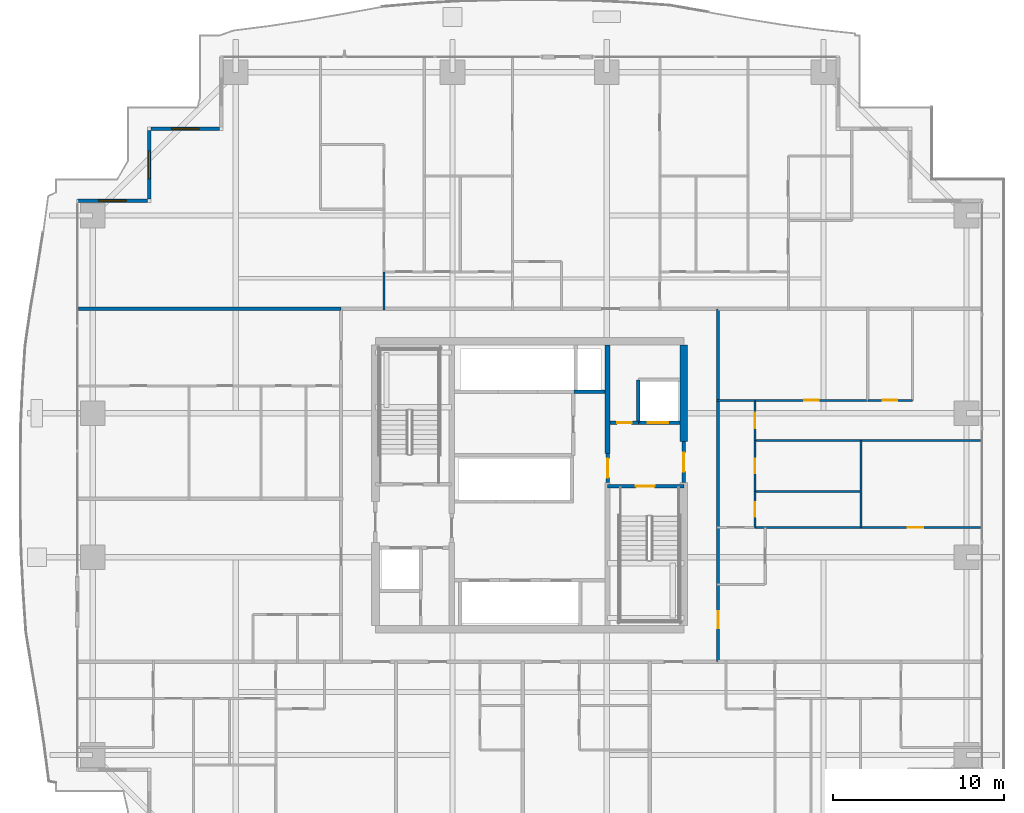
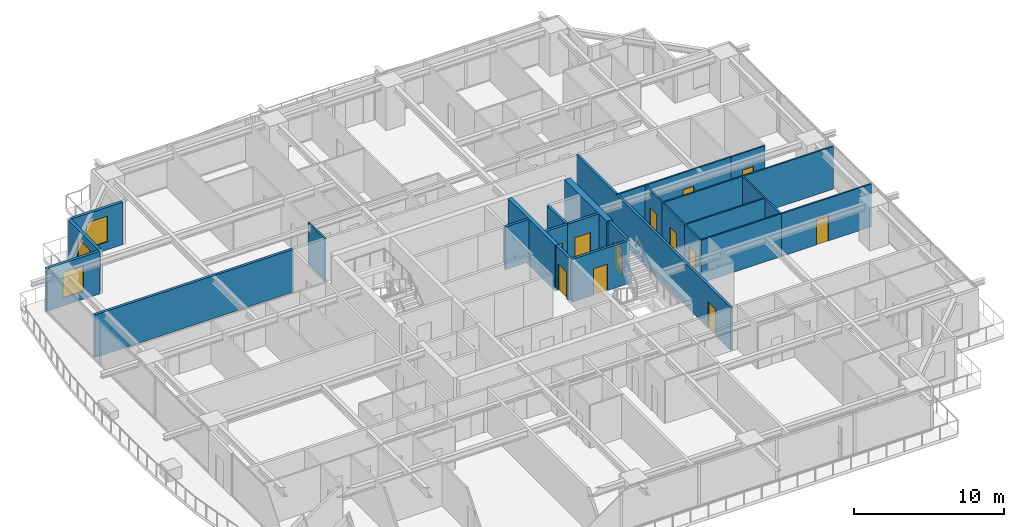
# One storey, part 26 of 36: 26 walls, 12 doors, 3 windows, 15 openings.
"""IFC4 building model written with IfcOpenShell, lengths in metres."""

from ifc_helpers import new_model, si_unit, direction, frame, frame_2d, origin, place, context, subcontext, project, spatial, rectangle, extrude, source, transform, mapped, material, layer, layer_set, type_object, element, fill, save


model = new_model("IFC4")

# Units and contexts
model_context = context("Model", 3, precision=1e-05, world=origin(), true_north=direction((0.0, 1.0)))
body_context = subcontext(model_context, "Body", "Model", "MODEL_VIEW")
ifc_project = project(units=[si_unit("LENGTHUNIT", "METRE"), si_unit("AREAUNIT", "SQUARE_METRE"), si_unit("VOLUMEUNIT", "CUBIC_METRE"), si_unit("PLANEANGLEUNIT", "RADIAN"), si_unit("MASSUNIT", "GRAM", prefix="KILO")], contexts=[model_context])

# Site, building, storey
site_placement = place(None, origin())
site = spatial("IfcSite", under=ifc_project, at=site_placement, CompositionType="ELEMENT")
building_placement = place(site_placement, origin())
building = spatial("IfcBuilding", under=site, at=building_placement, Name="Serunith Strait Residences", CompositionType="ELEMENT")
storey_placement = place(building_placement, frame((0.0, 0.0, 86.699951171875)))
storey = spatial("IfcBuildingStorey", under=building, at=storey_placement, Name="L21", CompositionType="ELEMENT", Elevation=86.699951171875)

# Wall, opening, window
ifc_material_1 = material(Name="Pale-Champagne Aluminium Insulated Panel", Category="aluminium")
ifc_layer_1 = layer(ifc_material_1, 0.219970703125, Name="Pale-Champagne Aluminium Insulated Panel")
ifc_layer_set_1 = layer_set([ifc_layer_1], Name="Pale-Champagne Aluminium Insulated Panel")
wall_type_1 = type_object("IfcWallType", Name="EW-ALUM-220", PredefinedType="ELEMENTEDWALL", material=ifc_layer_set_1)
wall_1_placement = place(storey_placement, frame((14.2900390625, 46.0, 0.0), z_axis=(0.0, 0.0, 1.0), x_axis=(-1.0, 0.0, 0.0)))
wall_1 = element("IfcWall", 1, at=wall_1_placement, inside=storey, type_object=wall_type_1, Name="L21 Girih Serrated Corner Wall 13", PredefinedType="ELEMENTEDWALL", context=body_context, shape_type="SweptSolid", body=[
    extrude(rectangle(XDim=3.97998046875, YDim=0.219970703125, at=frame_2d((1.989990234375, 0.0))), origin(), (0.0, 0.0, 1.0), 3.47509765625),
])
opening_1_placement = place(wall_1_placement, frame((1.18994140625, 0.0, 0.64990234375)))
opening_1 = element("IfcOpeningElement", 2, at=opening_1_placement, cuts=wall_1, Name="Opening W-02", PredefinedType="OPENING", context=body_context, shape_type="SweptSolid", body=[
    extrude(rectangle(XDim=1.60009765625, YDim=2.10009765625, at=frame_2d((0.800048828125, 1.050048828125))), frame((0.0, 0.1201171875, 0.0), z_axis=(0.0, -1.0, 0.0), x_axis=(1.0, 0.0, 0.0)), (0.0, 0.0, 1.0), 0.239990234375),
])
ifc_material_2 = material(Name="Ceramic-Fritted Operable Aluminium Window Glass", Category="aluminium")
window_type = type_object("IfcWindowType", Name="WIN-C2", PartitioningType="DOUBLE_PANEL_VERTICAL", PredefinedType="WINDOW", material=ifc_material_2)
shared_shape_1 = source(origin(), body_context, "Body", "SweptSolid", [
    extrude(rectangle(XDim=1.60009765625, YDim=2.10009765625, at=frame_2d((0.800048828125, 1.050048828125))), frame((0.0, 0.030029296875, 0.0), z_axis=(0.0, -1.0, 0.0), x_axis=(1.0, 0.0, 0.0)), (0.0, 0.0, 1.0), 0.06005859375),
])
window_1_placement = place(opening_1_placement, origin())
window_1 = element("IfcWindow", 3, at=window_1_placement, inside=storey, type_object=window_type, Name="L21 Corner Operable Fritted Window 13", OverallHeight=2.10009765625, OverallWidth=1.60009765625, PartitioningType="SINGLE_PANEL", PredefinedType="WINDOW", context=body_context, shape_type="MappedRepresentation", body=[
    mapped(shared_shape_1, transform((0.0, 0.0, 0.0), scale=1.0)),
])
fill(opening_1, window_1)

wall_2_placement = place(storey_placement, frame((10.199951171875, 45.889892578125, 0.0), z_axis=(0.0, 0.0, 1.0), x_axis=(0.0, -1.0, 0.0)))
wall_2 = element("IfcWall", 4, at=wall_2_placement, inside=storey, type_object=wall_type_1, Name="L21 Girih Serrated Corner Wall 14", PredefinedType="ELEMENTEDWALL", context=body_context, shape_type="SweptSolid", body=[
    extrude(rectangle(XDim=3.97998046875, YDim=0.219970703125, at=frame_2d((1.989990234375, 0.0))), origin(), (0.0, 0.0, 1.0), 3.47509765625),
])
opening_2_placement = place(wall_2_placement, frame((1.18994140625, 0.0, 0.64990234375)))
opening_2 = element("IfcOpeningElement", 5, at=opening_2_placement, cuts=wall_2, Name="Opening W-02", PredefinedType="OPENING", context=body_context, shape_type="SweptSolid", body=[
    extrude(rectangle(XDim=1.60009765625, YDim=2.10009765625, at=frame_2d((0.800048828125, 1.050048828125))), frame((0.0, 0.1201171875, 0.0), z_axis=(0.0, -1.0, 0.0), x_axis=(1.0, 0.0, 0.0)), (0.0, 0.0, 1.0), 0.239990234375),
])
window_2_placement = place(opening_2_placement, origin())
window_2 = element("IfcWindow", 6, at=window_2_placement, inside=storey, type_object=window_type, Name="L21 Corner Operable Fritted Window 14", OverallHeight=2.10009765625, OverallWidth=1.60009765625, PartitioningType="SINGLE_PANEL", PredefinedType="WINDOW", context=body_context, shape_type="MappedRepresentation", body=[
    mapped(shared_shape_1, transform((0.0, 0.0, 0.0), scale=1.0)),
])
fill(opening_2, window_2)

wall_3_placement = place(storey_placement, frame((10.090087890625, 41.800048828125, 0.0), z_axis=(0.0, 0.0, 1.0), x_axis=(-1.0, 0.0, 0.0)))
wall_3 = element("IfcWall", 7, at=wall_3_placement, inside=storey, type_object=wall_type_1, Name="L21 Girih Serrated Corner Wall 15", PredefinedType="ELEMENTEDWALL", context=body_context, shape_type="SweptSolid", body=[
    extrude(rectangle(XDim=4.090087890625, YDim=0.219970703125, at=frame_2d((2.044921875, 0.0))), origin(), (0.0, 0.0, 1.0), 3.47509765625),
])
opening_3_placement = place(wall_3_placement, frame((1.2451171875, 0.0, 0.64990234375)))
opening_3 = element("IfcOpeningElement", 8, at=opening_3_placement, cuts=wall_3, Name="Opening W-02", PredefinedType="OPENING", context=body_context, shape_type="SweptSolid", body=[
    extrude(rectangle(XDim=1.60009765625, YDim=2.10009765625, at=frame_2d((0.800048828125, 1.050048828125))), frame((0.0, 0.1201171875, 0.0), z_axis=(0.0, -1.0, 0.0), x_axis=(1.0, 0.0, 0.0)), (0.0, 0.0, 1.0), 0.239990234375),
])
window_3_placement = place(opening_3_placement, origin())
window_3 = element("IfcWindow", 9, at=window_3_placement, inside=storey, type_object=window_type, Name="L21 Corner Operable Fritted Window 15", OverallHeight=2.10009765625, OverallWidth=1.60009765625, PartitioningType="SINGLE_PANEL", PredefinedType="WINDOW", context=body_context, shape_type="MappedRepresentation", body=[
    mapped(shared_shape_1, transform((0.0, 0.0, 0.0), scale=1.0)),
])
fill(opening_3, window_3)

# Wall, opening, door
ifc_material_3 = material(Name="Fire-rated acoustic gypsum partition")
ifc_layer_2 = layer(ifc_material_3, 0.179931640625, Name="Fire-rated acoustic gypsum partition")
ifc_layer_set_2 = layer_set([ifc_layer_2], Name="Fire-rated acoustic gypsum partition")
wall_type_2 = type_object("IfcWallType", Name="IW-CORR-180", PredefinedType="PARTITIONING", material=ifc_layer_set_2)
wall_4_placement = place(storey_placement, frame((43.39990234375, 14.89990234375, 0.0), z_axis=(0.0, 0.0, 1.0), x_axis=(0.0, 1.0, 0.0)))
wall_4 = element("IfcWall", 10, at=wall_4_placement, inside=storey, type_object=wall_type_2, Name="L21 Partition Wall 025", PredefinedType="PARTITIONING", context=body_context, shape_type="SweptSolid", body=[
    extrude(rectangle(XDim=20.60009765625, YDim=0.179931640625, at=frame_2d((10.300048828125, 0.0))), origin(), (0.0, 0.0, 1.0), 3.489990234375),
])
opening_4_placement = place(wall_4_placement, frame((1.9599609375, 0.0, 0.0)))
opening_4 = element("IfcOpeningElement", 11, at=opening_4_placement, cuts=wall_4, Name="Opening D-APT1000", PredefinedType="OPENING", context=body_context, shape_type="SweptSolid", body=[
    extrude(rectangle(XDim=1.0, YDim=2.14990234375, at=frame_2d((0.5, 1.074951171875))), frame((0.0, 0.10009765625, 0.0), z_axis=(0.0, -1.0, 0.0), x_axis=(1.0, 0.0, 0.0)), (0.0, 0.0, 1.0), 0.199951171875),
])
ifc_material_4 = material(Name="Solid timber engineered fire door", Category="wood")
door_type_1 = type_object("IfcDoorType", Name="ID-APT-1000", OperationType="NOTDEFINED", PredefinedType="DOOR", material=ifc_material_4)
shared_shape_2 = source(origin(), body_context, "Body", "SweptSolid", [
    extrude(rectangle(XDim=1.0, YDim=2.14990234375, at=frame_2d((0.5, 1.074951171875))), frame((0.0, 0.02490234375, 0.0), z_axis=(0.0, -1.0, 0.0), x_axis=(1.0, 0.0, 0.0)), (0.0, 0.0, 1.0), 0.050048828125),
])
door_1_placement = place(opening_4_placement, origin())
door_1 = element("IfcDoor", 12, at=door_1_placement, inside=storey, type_object=door_type_1, Name="L21 Unit 08 Entrance Door", OperationType="SINGLE_SWING_RIGHT", OverallHeight=2.14990234375, OverallWidth=1.0, PredefinedType="DOOR", context=body_context, shape_type="MappedRepresentation", body=[
    mapped(shared_shape_2, transform((0.0, 0.0, 0.0), scale=1.0)),
])
fill(opening_4, door_1)

# Wall
ifc_material_5 = material(Name="Lightweight steel-stud gypsum partition", Category="steel")
ifc_layer_3 = layer(ifc_material_5, 0.1201171875, Name="Lightweight steel-stud gypsum partition")
ifc_layer_set_3 = layer_set([ifc_layer_3], Name="Lightweight steel-stud gypsum partition")
wall_type_3 = type_object("IfcWallType", Name="IW-PART-120", PredefinedType="PARTITIONING", material=ifc_layer_set_3)
wall_5_placement = place(storey_placement, frame((23.89990234375, 37.64794921875, 0.0), z_axis=(0.0, 0.0, 1.0), x_axis=(0.0, -1.0, 0.0)))
element("IfcWall", 13, at=wall_5_placement, inside=storey, type_object=wall_type_3, Name="L21 Partition Wall 080", PredefinedType="PARTITIONING", context=body_context, shape_type="SweptSolid", body=[
    extrude(rectangle(XDim=2.2080078125, YDim=0.1201171875, at=frame_2d((1.10400390625, 0.0))), origin(), (0.0, 0.0, 1.0), 3.489990234375),
])

# Wall, opening, door
wall_6_placement = place(storey_placement, frame((58.705078125, 22.72998046875, 0.0), z_axis=(0.0, 0.0, 1.0), x_axis=(-1.0, 0.0, 0.0)))
wall_6 = element("IfcWall", 14, at=wall_6_placement, inside=storey, type_object=wall_type_3, Name="L21 Partition Wall 110", PredefinedType="PARTITIONING", context=body_context, shape_type="SweptSolid", body=[
    extrude(rectangle(XDim=6.964111328125, YDim=0.1201171875, at=frame_2d((3.48193359375, 0.0))), origin(), (0.0, 0.0, 1.0), 3.489990234375),
])
opening_5_placement = place(wall_6_placement, frame((3.3349609375, 0.0, 0.0)))
opening_5 = element("IfcOpeningElement", 15, at=opening_5_placement, cuts=wall_6, Name="Opening D-RM900", PredefinedType="OPENING", context=body_context, shape_type="SweptSolid", body=[
    extrude(rectangle(XDim=0.89990234375, YDim=2.10009765625, at=frame_2d((0.449951171875, 1.050048828125))), frame((0.0, 0.070068359375, 0.0), z_axis=(0.0, -1.0, 0.0), x_axis=(1.0, 0.0, 0.0)), (0.0, 0.0, 1.0), 0.14013671875),
])
ifc_material_6 = material(Name="Engineered timber flush bedroom door", Category="wood")
door_type_2 = type_object("IfcDoorType", Name="ID-ROOM-900", OperationType="NOTDEFINED", PredefinedType="DOOR", material=ifc_material_6)
shared_shape_3 = source(origin(), body_context, "Body", "SweptSolid", [
    extrude(rectangle(XDim=0.89990234375, YDim=2.10009765625, at=frame_2d((0.449951171875, 1.050048828125))), frame((0.0, 0.02490234375, 0.0), z_axis=(0.0, -1.0, 0.0), x_axis=(1.0, 0.0, 0.0)), (0.0, 0.0, 1.0), 0.050048828125),
])
door_2_placement = place(opening_5_placement, origin())
door_2 = element("IfcDoor", 16, at=door_2_placement, inside=storey, type_object=door_type_2, Name="L21 Formal Dining Room 1 2108 Door", OperationType="SINGLE_SWING_RIGHT", OverallHeight=2.10009765625, OverallWidth=0.89990234375, PredefinedType="DOOR", context=body_context, shape_type="MappedRepresentation", body=[
    mapped(shared_shape_3, transform((0.0, 0.0, 0.0), scale=1.0)),
])
fill(opening_5, door_2)

# Walls
wall_7_placement = place(storey_placement, frame((51.739013671875, 22.72998046875, 0.0), z_axis=(0.0, 0.0, 1.0), x_axis=(-1.0, 0.0, 0.0)))
element("IfcWall", 17, at=wall_7_placement, inside=storey, type_object=wall_type_3, Name="L21 Partition Wall 111", PredefinedType="PARTITIONING", context=body_context, shape_type="SweptSolid", body=[
    extrude(rectangle(XDim=6.18701171875, YDim=0.1201171875, at=frame_2d((3.093505859375, 0.0))), origin(), (0.0, 0.0, 1.0), 3.489990234375),
])
wall_8_placement = place(storey_placement, frame((51.740966796875, 22.72998046875, 0.0), z_axis=(0.0, 0.0, 1.0), x_axis=(0.0, 1.0, 0.0)))
element("IfcWall", 18, at=wall_8_placement, inside=storey, type_object=wall_type_3, Name="L21 Partition Wall 112", PredefinedType="PARTITIONING", context=body_context, shape_type="SweptSolid", body=[
    extrude(rectangle(XDim=5.070068359375, YDim=0.1201171875, at=frame_2d((2.53515625, 0.0))), origin(), (0.0, 0.0, 1.0), 3.489990234375),
])
wall_9_placement = place(storey_placement, frame((58.705078125, 27.800048828125, 0.0), z_axis=(0.0, 0.0, 1.0), x_axis=(-1.0, 0.0, 0.0)))
element("IfcWall", 19, at=wall_9_placement, inside=storey, type_object=wall_type_3, Name="L21 Partition Wall 113", PredefinedType="PARTITIONING", context=body_context, shape_type="SweptSolid", body=[
    extrude(rectangle(XDim=13.155029296875, YDim=0.1201171875, at=frame_2d((6.57763671875, 0.0))), origin(), (0.0, 0.0, 1.0), 3.489990234375),
])
wall_10_placement = place(storey_placement, frame((51.740966796875, 24.830078125, 0.0), z_axis=(0.0, 0.0, 1.0), x_axis=(-1.0, 0.0, 0.0)))
element("IfcWall", 20, at=wall_10_placement, inside=storey, type_object=wall_type_3, Name="L21 Partition Wall 114", PredefinedType="PARTITIONING", context=body_context, shape_type="SweptSolid", body=[
    extrude(rectangle(XDim=6.19091796875, YDim=0.1201171875, at=frame_2d((3.095458984375, 0.0))), origin(), (0.0, 0.0, 1.0), 3.489990234375),
])

# Wall, opening, door
wall_11_placement = place(storey_placement, frame((45.550048828125, 22.72998046875, 0.0), z_axis=(0.0, 0.0, 1.0), x_axis=(0.0, 1.0, 0.0)))
wall_11 = element("IfcWall", 21, at=wall_11_placement, inside=storey, type_object=wall_type_3, Name="L21 Partition Wall 115", PredefinedType="PARTITIONING", context=body_context, shape_type="SweptSolid", body=[
    extrude(rectangle(XDim=2.10009765625, YDim=0.1201171875, at=frame_2d((1.050048828125, 0.0))), origin(), (0.0, 0.0, 1.0), 3.489990234375),
])
opening_6_placement = place(wall_11_placement, frame((0.625, 0.0, 0.0)))
opening_6 = element("IfcOpeningElement", 22, at=opening_6_placement, cuts=wall_11, Name="Opening D-BTH850", PredefinedType="OPENING", context=body_context, shape_type="SweptSolid", body=[
    extrude(rectangle(XDim=0.85009765625, YDim=2.10009765625, at=frame_2d((0.425048828125, 1.050048828125))), frame((0.0, 0.070068359375, 0.0), z_axis=(0.0, -1.0, 0.0), x_axis=(1.0, 0.0, 0.0)), (0.0, 0.0, 1.0), 0.14013671875),
])
ifc_material_7 = material(Name="Moisture-resistant timber bathroom door", Category="wood")
door_type_3 = type_object("IfcDoorType", Name="ID-BATH-850", OperationType="NOTDEFINED", PredefinedType="DOOR", material=ifc_material_7)
shared_shape_4 = source(origin(), body_context, "Body", "SweptSolid", [
    extrude(rectangle(XDim=0.85009765625, YDim=2.10009765625, at=frame_2d((0.425048828125, 1.050048828125))), frame((0.0, 0.02490234375, 0.0), z_axis=(0.0, -1.0, 0.0), x_axis=(1.0, 0.0, 0.0)), (0.0, 0.0, 1.0), 0.050048828125),
])
door_3_placement = place(opening_6_placement, origin())
door_3 = element("IfcDoor", 23, at=door_3_placement, inside=storey, type_object=door_type_3, Name="L21 Bathroom 2108 Door", OperationType="SINGLE_SWING_LEFT", OverallHeight=2.10009765625, OverallWidth=0.85009765625, PredefinedType="DOOR", context=body_context, shape_type="MappedRepresentation", body=[
    mapped(shared_shape_4, transform((0.0, 0.0, 0.0), scale=1.0)),
])
fill(opening_6, door_3)

wall_12_placement = place(storey_placement, frame((45.550048828125, 24.83203125, 0.0), z_axis=(0.0, 0.0, 1.0), x_axis=(0.0, 1.0, 0.0)))
wall_12 = element("IfcWall", 24, at=wall_12_placement, inside=storey, type_object=wall_type_3, Name="L21 Partition Wall 116", PredefinedType="PARTITIONING", context=body_context, shape_type="SweptSolid", body=[
    extrude(rectangle(XDim=2.968017578125, YDim=0.1201171875, at=frame_2d((1.48388671875, 0.0))), origin(), (0.0, 0.0, 1.0), 3.489990234375),
])
opening_7_placement = place(wall_12_placement, frame((1.05908203125, 0.0, 0.0)))
opening_7 = element("IfcOpeningElement", 25, at=opening_7_placement, cuts=wall_12, Name="Opening D-RM850", PredefinedType="OPENING", context=body_context, shape_type="SweptSolid", body=[
    extrude(rectangle(XDim=0.85009765625, YDim=2.10009765625, at=frame_2d((0.425048828125, 1.050048828125))), frame((0.0, 0.070068359375, 0.0), z_axis=(0.0, -1.0, 0.0), x_axis=(1.0, 0.0, 0.0)), (0.0, 0.0, 1.0), 0.14013671875),
])
ifc_material_8 = material(Name="Engineered timber flush study and kitchen door", Category="wood")
door_type_4 = type_object("IfcDoorType", Name="ID-ROOM-850", OperationType="NOTDEFINED", PredefinedType="DOOR", material=ifc_material_8)
door_4_placement = place(opening_7_placement, origin())
door_4 = element("IfcDoor", 26, at=door_4_placement, inside=storey, type_object=door_type_4, Name="L21 Laundry Room 2108 Door", OperationType="SINGLE_SWING_RIGHT", OverallHeight=2.10009765625, OverallWidth=0.85009765625, PredefinedType="DOOR", context=body_context, shape_type="MappedRepresentation", body=[
    mapped(shared_shape_4, transform((0.0, 0.0, 0.0), scale=1.0)),
])
fill(opening_7, door_4)

wall_13_placement = place(storey_placement, frame((45.550048828125, 27.802001953125, 0.0), z_axis=(0.0, 0.0, 1.0), x_axis=(0.0, 1.0, 0.0)))
wall_13 = element("IfcWall", 27, at=wall_13_placement, inside=storey, type_object=wall_type_3, Name="L21 Partition Wall 117", PredefinedType="PARTITIONING", context=body_context, shape_type="SweptSolid", body=[
    extrude(rectangle(XDim=2.347900390625, YDim=0.1201171875, at=frame_2d((1.173828125, 0.0))), origin(), (0.0, 0.0, 1.0), 3.489990234375),
])
opening_8_placement = place(wall_13_placement, frame((0.72412109375, 0.0, 0.0)))
opening_8 = element("IfcOpeningElement", 28, at=opening_8_placement, cuts=wall_13, Name="Opening D-RM900", PredefinedType="OPENING", context=body_context, shape_type="SweptSolid", body=[
    extrude(rectangle(XDim=0.89990234375, YDim=2.10009765625, at=frame_2d((0.449951171875, 1.050048828125))), frame((0.0, 0.070068359375, 0.0), z_axis=(0.0, -1.0, 0.0), x_axis=(1.0, 0.0, 0.0)), (0.0, 0.0, 1.0), 0.14013671875),
])
door_5_placement = place(opening_8_placement, origin())
door_5 = element("IfcDoor", 29, at=door_5_placement, inside=storey, type_object=door_type_2, Name="L21 Master Bedroom E 2108 Door", OperationType="SINGLE_SWING_LEFT", OverallHeight=2.10009765625, OverallWidth=0.89990234375, PredefinedType="DOOR", context=body_context, shape_type="MappedRepresentation", body=[
    mapped(shared_shape_3, transform((0.0, 0.0, 0.0), scale=1.0)),
])
fill(opening_8, door_5)

wall_14_placement = place(storey_placement, frame((54.75, 30.14990234375, 0.0), z_axis=(0.0, 0.0, 1.0), x_axis=(-1.0, 0.0, 0.0)))
wall_14 = element("IfcWall", 30, at=wall_14_placement, inside=storey, type_object=wall_type_3, Name="L21 Partition Wall 120", PredefinedType="PARTITIONING", context=body_context, shape_type="SweptSolid", body=[
    extrude(rectangle(XDim=2.616943359375, YDim=0.1201171875, at=frame_2d((1.30859375, 0.0))), origin(), (0.0, 0.0, 1.0), 3.489990234375),
])
opening_9_placement = place(wall_14_placement, frame((0.883056640625, 0.0, 0.0)))
opening_9 = element("IfcOpeningElement", 31, at=opening_9_placement, cuts=wall_14, Name="Opening D-BTH850", PredefinedType="OPENING", context=body_context, shape_type="SweptSolid", body=[
    extrude(rectangle(XDim=0.85009765625, YDim=2.10009765625, at=frame_2d((0.425048828125, 1.050048828125))), frame((0.0, 0.070068359375, 0.0), z_axis=(0.0, -1.0, 0.0), x_axis=(1.0, 0.0, 0.0)), (0.0, 0.0, 1.0), 0.14013671875),
])
door_6_placement = place(opening_9_placement, origin())
door_6 = element("IfcDoor", 32, at=door_6_placement, inside=storey, type_object=door_type_3, Name="L21 En-suite Bathroom E 2108 Door", OperationType="SINGLE_SWING_RIGHT", OverallHeight=2.10009765625, OverallWidth=0.85009765625, PredefinedType="DOOR", context=body_context, shape_type="MappedRepresentation", body=[
    mapped(shared_shape_4, transform((0.0, 0.0, 0.0), scale=1.0)),
])
fill(opening_9, door_6)

wall_15_placement = place(storey_placement, frame((52.131103515625, 30.14990234375, 0.0), z_axis=(0.0, 0.0, 1.0), x_axis=(-1.0, 0.0, 0.0)))
wall_15 = element("IfcWall", 33, at=wall_15_placement, inside=storey, type_object=wall_type_3, Name="L21 Partition Wall 121", PredefinedType="PARTITIONING", context=body_context, shape_type="SweptSolid", body=[
    extrude(rectangle(XDim=6.5810546875, YDim=0.1201171875, at=frame_2d((3.29052734375, 0.0))), origin(), (0.0, 0.0, 1.0), 3.489990234375),
])
opening_10_placement = place(wall_15_placement, frame((2.865966796875, 0.0, 0.0)))
opening_10 = element("IfcOpeningElement", 34, at=opening_10_placement, cuts=wall_15, Name="Opening D-RM850", PredefinedType="OPENING", context=body_context, shape_type="SweptSolid", body=[
    extrude(rectangle(XDim=0.85009765625, YDim=2.10009765625, at=frame_2d((0.425048828125, 1.050048828125))), frame((0.0, 0.070068359375, 0.0), z_axis=(0.0, -1.0, 0.0), x_axis=(1.0, 0.0, 0.0)), (0.0, 0.0, 1.0), 0.14013671875),
])
door_7_placement = place(opening_10_placement, origin())
door_7 = element("IfcDoor", 35, at=door_7_placement, inside=storey, type_object=door_type_4, Name="L21 Wardrobe E 2108 Door", OperationType="SINGLE_SWING_LEFT", OverallHeight=2.10009765625, OverallWidth=0.85009765625, PredefinedType="DOOR", context=body_context, shape_type="MappedRepresentation", body=[
    mapped(shared_shape_4, transform((0.0, 0.0, 0.0), scale=1.0)),
])
fill(opening_10, door_7)

# Walls
wall_16_placement = place(storey_placement, frame((45.548095703125, 30.14990234375, 0.0), z_axis=(0.0, 0.0, 1.0), x_axis=(-1.0, 0.0, 0.0)))
element("IfcWall", 36, at=wall_16_placement, inside=storey, type_object=wall_type_3, Name="L21 Partition Wall 122", PredefinedType="PARTITIONING", context=body_context, shape_type="SweptSolid", body=[
    extrude(rectangle(XDim=2.2080078125, YDim=0.1201171875, at=frame_2d((1.10400390625, 0.0))), origin(), (0.0, 0.0, 1.0), 3.489990234375),
])
ifc_material_9 = material(Name="Twin-stud acoustic gypsum board partition")
ifc_layer_4 = layer(ifc_material_9, 0.199951171875, Name="Twin-stud acoustic gypsum board partition")
ifc_layer_set_4 = layer_set([ifc_layer_4], Name="Twin-stud acoustic gypsum board partition")
wall_type_4 = type_object("IfcWallType", Name="IW-PARTY-200", PredefinedType="PARTITIONING", material=ifc_layer_set_4)
wall_17_placement = place(storey_placement, frame((6.08203125, 35.5, 0.0), z_axis=(0.0, 0.0, 1.0), x_axis=(1.0, 0.0, 0.0)))
element("IfcWall", 37, at=wall_17_placement, inside=storey, type_object=wall_type_4, Name="L21 Partition Wall 020", PredefinedType="PARTITIONING", context=body_context, shape_type="SweptSolid", body=[
    extrude(rectangle(XDim=15.31787109375, YDim=0.199951171875, at=frame_2d((7.658935546875, 0.0))), origin(), (0.0, 0.0, 1.0), 3.489990234375),
])

# Wall, opening, door
ifc_material_10 = material(Name="Autoclaved aerated concrete blockwork", Category="masonry")
ifc_layer_5 = layer(ifc_material_10, 0.199951171875, Name="Autoclaved aerated concrete blockwork")
ifc_layer_set_5 = layer_set([ifc_layer_5], Name="Autoclaved aerated concrete blockwork")
wall_type_5 = type_object("IfcWallType", Name="IW-SHAFT-200", PredefinedType="STANDARD", material=ifc_layer_set_5)
wall_18_placement = place(storey_placement, frame((36.949951171875, 25.14990234375, 0.0), z_axis=(0.0, 0.0, 1.0), x_axis=(1.0, 0.0, 0.0)))
wall_18 = element("IfcWall", 38, at=wall_18_placement, inside=storey, type_object=wall_type_5, Name="L21 ST-2 North Shaft Wall", PredefinedType="STANDARD", context=body_context, shape_type="SweptSolid", body=[
    extrude(rectangle(XDim=4.449951171875, YDim=0.199951171875, at=frame_2d((2.22509765625, 0.0))), origin(), (0.0, 0.0, 1.0), 3.489990234375),
])
opening_11_placement = place(wall_18_placement, frame((1.64990234375, 0.0, 0.0)))
opening_11 = element("IfcOpeningElement", 39, at=opening_11_placement, cuts=wall_18, Name="Opening FD-1100", PredefinedType="OPENING", context=body_context, shape_type="SweptSolid", body=[
    extrude(rectangle(XDim=1.10009765625, YDim=2.14990234375, at=frame_2d((0.550048828125, 1.074951171875))), frame((0.0, 0.10986328125, 0.0), z_axis=(0.0, -1.0, 0.0), x_axis=(1.0, 0.0, 0.0)), (0.0, 0.0, 1.0), 0.219970703125),
])
ifc_material_11 = material(Name="Galvanised steel fire door leaf", Category="steel")
door_type_5 = type_object("IfcDoorType", Name="FD-STAIR-1100", OperationType="NOTDEFINED", PredefinedType="DOOR", material=ifc_material_11)
shared_shape_5 = source(origin(), body_context, "Body", "SweptSolid", [
    extrude(rectangle(XDim=1.10009765625, YDim=2.14990234375, at=frame_2d((0.550048828125, 1.074951171875))), frame((0.0, 0.02490234375, 0.0), z_axis=(0.0, -1.0, 0.0), x_axis=(1.0, 0.0, 0.0)), (0.0, 0.0, 1.0), 0.050048828125),
])
door_8_placement = place(opening_11_placement, origin())
door_8 = element("IfcDoor", 40, at=door_8_placement, inside=storey, type_object=door_type_5, Name="L21 ST-2 Escape Stair Door", OperationType="SINGLE_SWING_RIGHT", OverallHeight=2.14990234375, OverallWidth=1.10009765625, PredefinedType="DOOR", context=body_context, shape_type="MappedRepresentation", body=[
    mapped(shared_shape_5, transform((0.0, 0.0, 0.0), scale=1.0)),
])
fill(opening_11, door_8)

wall_19_placement = place(storey_placement, frame((38.75, 28.85009765625, 0.0), z_axis=(0.0, 0.0, 1.0), x_axis=(1.0, 0.0, 0.0)))
wall_19 = element("IfcWall", 41, at=wall_19_placement, inside=storey, type_object=wall_type_5, Name="L21 FL-2 South Shaft Wall", PredefinedType="STANDARD", context=body_context, shape_type="SweptSolid", body=[
    extrude(rectangle(XDim=2.425048828125, YDim=0.199951171875, at=frame_2d((1.21240234375, 0.0))), origin(), (0.0, 0.0, 1.0), 3.489990234375),
])
opening_12_placement = place(wall_19_placement, frame((0.550048828125, 0.0, 0.0)))
opening_12 = element("IfcOpeningElement", 42, at=opening_12_placement, cuts=wall_19, Name="Opening LD-FF1200", PredefinedType="OPENING", context=body_context, shape_type="SweptSolid", body=[
    extrude(rectangle(XDim=1.199951171875, YDim=2.199951171875, at=frame_2d((0.60009765625, 1.10009765625))), frame((0.0, 0.10986328125, 0.0), z_axis=(0.0, -1.0, 0.0), x_axis=(1.0, 0.0, 0.0)), (0.0, 0.0, 1.0), 0.219970703125),
])
ifc_material_12 = material(Name="Brushed stainless steel landing door", Category="steel")
door_type_6 = type_object("IfcDoorType", Name="LD-FF-1200", OperationType="DOUBLE_DOOR_SLIDING", PredefinedType="DOOR", material=ifc_material_12)
shared_shape_6 = source(origin(), body_context, "Body", "SweptSolid", [
    extrude(rectangle(XDim=1.199951171875, YDim=2.199951171875, at=frame_2d((0.60009765625, 1.10009765625))), frame((0.0, 0.02490234375, 0.0), z_axis=(0.0, -1.0, 0.0), x_axis=(1.0, 0.0, 0.0)), (0.0, 0.0, 1.0), 0.050048828125),
])
door_9_placement = place(opening_12_placement, origin())
door_9 = element("IfcDoor", 43, at=door_9_placement, inside=storey, type_object=door_type_6, Name="L21 FL-2 Landing Door", OperationType="DOUBLE_DOOR_SLIDING", OverallHeight=2.199951171875, OverallWidth=1.199951171875, PredefinedType="DOOR", context=body_context, shape_type="MappedRepresentation", body=[
    mapped(shared_shape_6, transform((0.0, 0.0, 0.0), scale=1.0)),
])
fill(opening_12, door_9)

# Walls
wall_20_placement = place(storey_placement, frame((35.0, 30.64990234375, 0.0), z_axis=(0.0, 0.0, 1.0), x_axis=(1.0, 0.0, 0.0)))
element("IfcWall", 44, at=wall_20_placement, inside=storey, type_object=wall_type_5, Name="L21 SL-1 South Shaft Wall", PredefinedType="STANDARD", context=body_context, shape_type="SweptSolid", body=[
    extrude(rectangle(XDim=1.800048828125, YDim=0.199951171875, at=frame_2d((0.89990234375, 0.0))), origin(), (0.0, 0.0, 1.0), 3.489990234375),
])
wall_21_placement = place(storey_placement, frame((38.75, 28.85009765625, 0.0), z_axis=(0.0, 0.0, 1.0), x_axis=(0.0, 1.0, 0.0)))
element("IfcWall", 45, at=wall_21_placement, inside=storey, type_object=wall_type_5, Name="L21 Partition Wall 004", PredefinedType="STANDARD", context=body_context, shape_type="SweptSolid", body=[
    extrude(rectangle(XDim=2.5, YDim=0.199951171875, at=frame_2d((1.25, 0.0))), origin(), (0.0, 0.0, 1.0), 3.489990234375),
])

# Wall, opening, door
wall_22_placement = place(storey_placement, frame((37.10009765625, 28.85009765625, 0.0), z_axis=(0.0, 0.0, 1.0), x_axis=(1.0, 0.0, 0.0)))
wall_22 = element("IfcWall", 46, at=wall_22_placement, inside=storey, type_object=wall_type_5, Name="L21 Partition Wall 006", PredefinedType="STANDARD", context=body_context, shape_type="SweptSolid", body=[
    extrude(rectangle(XDim=1.64794921875, YDim=0.199951171875, at=frame_2d((0.823974609375, 0.0))), origin(), (0.0, 0.0, 1.0), 3.489990234375),
])
opening_13_placement = place(wall_22_placement, frame((0.39892578125, 0.0, 0.0)))
opening_13 = element("IfcOpeningElement", 47, at=opening_13_placement, cuts=wall_22, Name="Opening FD-850", PredefinedType="OPENING", context=body_context, shape_type="SweptSolid", body=[
    extrude(rectangle(XDim=0.85009765625, YDim=2.10009765625, at=frame_2d((0.425048828125, 1.050048828125))), frame((0.0, 0.10986328125, 0.0), z_axis=(0.0, -1.0, 0.0), x_axis=(1.0, 0.0, 0.0)), (0.0, 0.0, 1.0), 0.219970703125),
])
ifc_material_13 = material(Name="Powder-coated steel service closet door", Category="steel")
door_type_7 = type_object("IfcDoorType", Name="FD-BOH-850", OperationType="NOTDEFINED", PredefinedType="DOOR", material=ifc_material_13)
door_10_placement = place(opening_13_placement, origin())
door_10 = element("IfcDoor", 48, at=door_10_placement, inside=storey, type_object=door_type_7, Name="L21 North-East Core Service Door", OperationType="SINGLE_SWING_RIGHT", OverallHeight=2.10009765625, OverallWidth=0.85009765625, PredefinedType="DOOR", context=body_context, shape_type="MappedRepresentation", body=[
    mapped(shared_shape_4, transform((0.0, 0.0, 0.0), scale=1.0)),
])
fill(opening_13, door_10)

wall_23_placement = place(storey_placement, frame((41.39990234375, 25.35205078125, 0.0), z_axis=(0.0, 0.0, 1.0), x_axis=(0.0, 1.0, 0.0)))
wall_23 = element("IfcWall", 49, at=wall_23_placement, inside=storey, type_object=wall_type_5, Name="L21 Partition Wall 008", PredefinedType="STANDARD", context=body_context, shape_type="SweptSolid", body=[
    extrude(rectangle(XDim=2.39599609375, YDim=0.199951171875, at=frame_2d((1.197998046875, 0.0))), origin(), (0.0, 0.0, 1.0), 3.489990234375),
])
opening_14_placement = place(wall_23_placement, frame((0.64794921875, 0.0, 0.0)))
opening_14 = element("IfcOpeningElement", 50, at=opening_14_placement, cuts=wall_23, Name="Opening FD-FFL", PredefinedType="OPENING", context=body_context, shape_type="SweptSolid", body=[
    extrude(rectangle(XDim=1.10009765625, YDim=2.14990234375, at=frame_2d((0.550048828125, 1.074951171875))), frame((0.0, 0.10986328125, 0.0), z_axis=(0.0, -1.0, 0.0), x_axis=(1.0, 0.0, 0.0)), (0.0, 0.0, 1.0), 0.219970703125),
])
ifc_material_14 = material(Name="Glazed steel smoke-lobby fire door", Category="steel")
door_type_8 = type_object("IfcDoorType", Name="FD-FFL-1100", OperationType="NOTDEFINED", PredefinedType="DOOR", material=ifc_material_14)
door_11_placement = place(opening_14_placement, origin())
door_11 = element("IfcDoor", 51, at=door_11_placement, inside=storey, type_object=door_type_8, Name="L21 FFL-2 Corridor Fire Door", OperationType="SINGLE_SWING_RIGHT", OverallHeight=2.14990234375, OverallWidth=1.10009765625, PredefinedType="DOOR", context=body_context, shape_type="MappedRepresentation", body=[
    mapped(shared_shape_5, transform((0.0, 0.0, 0.0), scale=1.0)),
])
fill(opening_14, door_11)

wall_24_placement = place(storey_placement, frame((36.949951171875, 25.35205078125, 0.0), z_axis=(0.0, 0.0, 1.0), x_axis=(0.0, 1.0, 0.0)))
wall_24 = element("IfcWall", 52, at=wall_24_placement, inside=storey, type_object=wall_type_5, Name="L21 Partition Wall 010", PredefinedType="STANDARD", context=body_context, shape_type="SweptSolid", body=[
    extrude(rectangle(XDim=1.696044921875, YDim=0.199951171875, at=frame_2d((0.84814453125, 0.0))), origin(), (0.0, 0.0, 1.0), 3.489990234375),
])
opening_15_placement = place(wall_24_placement, frame((0.298095703125, 0.0, 0.0)))
opening_15 = element("IfcOpeningElement", 53, at=opening_15_placement, cuts=wall_24, Name="Opening FD-FFL", PredefinedType="OPENING", context=body_context, shape_type="SweptSolid", body=[
    extrude(rectangle(XDim=1.10009765625, YDim=2.14990234375, at=frame_2d((0.550048828125, 1.074951171875))), frame((0.0, 0.10986328125, 0.0), z_axis=(0.0, -1.0, 0.0), x_axis=(1.0, 0.0, 0.0)), (0.0, 0.0, 1.0), 0.219970703125),
])
door_12_placement = place(opening_15_placement, origin())
door_12 = element("IfcDoor", 54, at=door_12_placement, inside=storey, type_object=door_type_8, Name="L21 FFL-2 Lift Lobby Door", OperationType="SINGLE_SWING_RIGHT", OverallHeight=2.14990234375, OverallWidth=1.10009765625, PredefinedType="DOOR", context=body_context, shape_type="MappedRepresentation", body=[
    mapped(shared_shape_5, transform((0.0, 0.0, 0.0), scale=1.0)),
])
fill(opening_15, door_12)

# Walls
ifc_material_15 = material(Name="Concrete C80/95", Category="concrete")
ifc_layer_6 = layer(ifc_material_15, 0.300048828125, Name="Concrete C80/95")
ifc_layer_set_6 = layer_set([ifc_layer_6], Name="Concrete C80/95")
wall_type_6 = type_object("IfcWallType", Name="SW-300-C80", PredefinedType="SHEAR", material=ifc_layer_set_6)
wall_25_placement = place(storey_placement, frame((36.949951171875, 27.050048828125, -0.260009765625), z_axis=(0.0, 0.0, 1.0), x_axis=(0.0, 1.0, 0.0)))
element("IfcWall", 55, at=wall_25_placement, inside=storey, type_object=wall_type_6, Name="L21 Core Internal East Web North Pier", PredefinedType="SHEAR", context=body_context, shape_type="SweptSolid", body=[
    extrude(rectangle(XDim=6.324951171875, YDim=0.300048828125, at=frame_2d((3.16259765625, 0.0))), origin(), (0.0, 0.0, 1.0), 3.748046875),
])
ifc_layer_7 = layer(ifc_material_15, 0.449951171875, Name="Concrete C80/95")
ifc_layer_set_7 = layer_set([ifc_layer_7], Name="Concrete C80/95")
wall_type_7 = type_object("IfcWallType", Name="SW-450-C80", PredefinedType="SHEAR", material=ifc_layer_set_7)
wall_26_placement = place(storey_placement, frame((41.39990234375, 27.75, -0.260009765625), z_axis=(0.0, 0.0, 1.0), x_axis=(0.0, 1.0, 0.0)))
element("IfcWall", 56, at=wall_26_placement, inside=storey, type_object=wall_type_7, Name="L21 Core East Shear Wall North Pier", PredefinedType="SHEAR", context=body_context, shape_type="SweptSolid", body=[
    extrude(rectangle(XDim=5.625, YDim=0.449951171875, at=frame_2d((2.8125, 0.0))), origin(), (0.0, 0.0, 1.0), 3.748046875),
])

save(model, "model.ifc")
